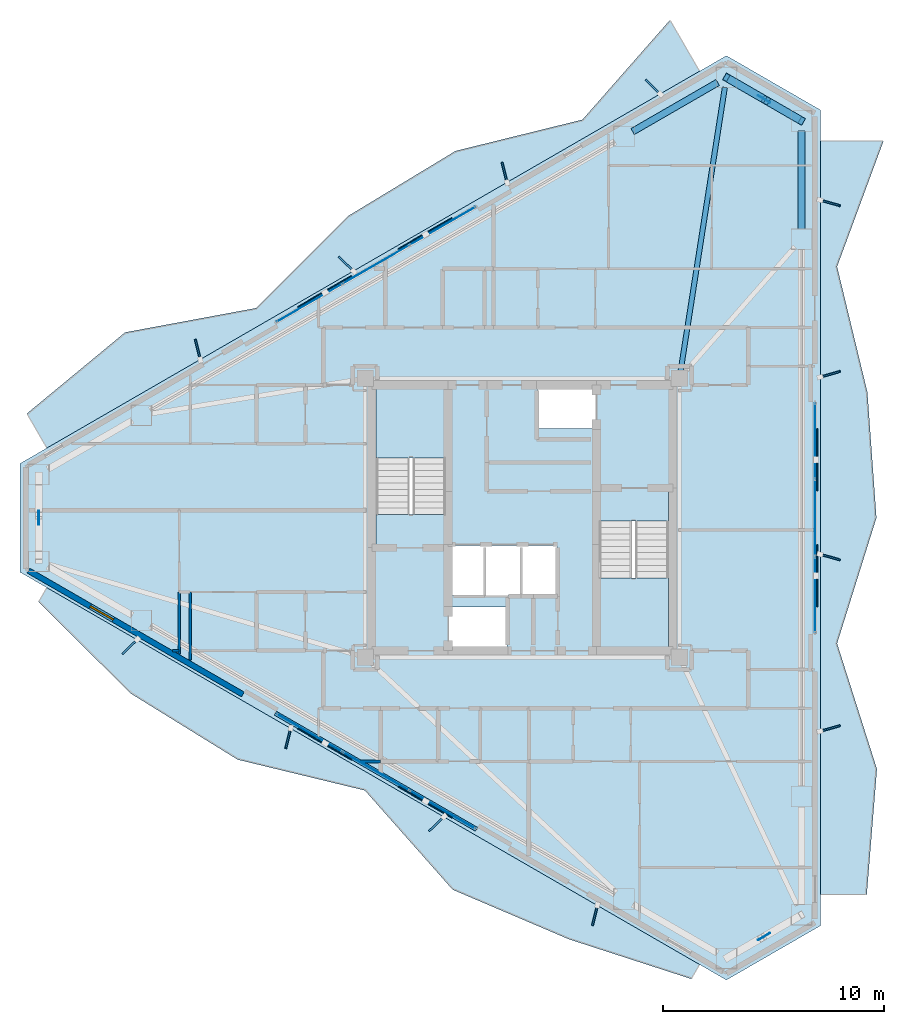
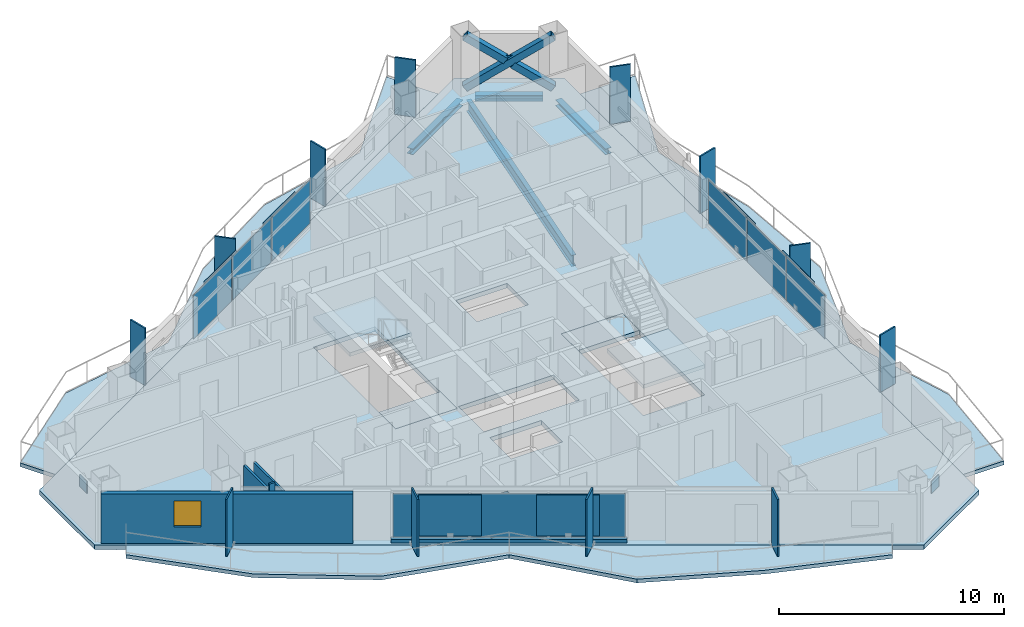
# One storey, part 11 of 19: 30 plates, 8 slabs, 6 walls, 4 beams, 3 members, 1 window, 1 opening, 5 elements without a shape of their own.
"""IFC4 building model written with IfcOpenShell, lengths in metres."""

from ifc_helpers import new_model, si_unit, direction, frame, frame_2d, origin, origin_2d, place, context, subcontext, project, spatial, polyline, rectangle, hollow_rectangle, i_section, outline, extrude, material, layer, layer_set, material_profile, profile_set, type_object, element, fill, aggregate, save


model = new_model("IFC4")

# Units and contexts
model_context = context("Model", 3, precision=1e-05, world=origin(), true_north=direction((0.0, 1.0)))
body_context = subcontext(model_context, "Body", "Model", "MODEL_VIEW")
ifc_project = project(units=[si_unit("LENGTHUNIT", "METRE"), si_unit("AREAUNIT", "SQUARE_METRE"), si_unit("VOLUMEUNIT", "CUBIC_METRE"), si_unit("PLANEANGLEUNIT", "RADIAN"), si_unit("MASSUNIT", "GRAM", prefix="KILO")], contexts=[model_context])

# Site, building, storey
site_placement = place(None, origin())
site = spatial("IfcSite", under=ifc_project, at=site_placement, CompositionType="ELEMENT")
building_placement = place(site_placement, origin())
building = spatial("IfcBuilding", under=site, at=building_placement, Name="Mersakhor Tower and Convention Hall", CompositionType="ELEMENT")
storey_placement = place(building_placement, frame((0.0, 0.0, 144.300048828125)))
storey = spatial("IfcBuildingStorey", under=building, at=storey_placement, Name="L40", CompositionType="ELEMENT", Elevation=144.300048828125)

# Beams
ifc_material_1 = material(Name="Steel S355", Category="steel")
ifc_material_profile_1 = material_profile(ifc_material_1, i_section(OverallWidth=0.22900390625, OverallDepth=0.6123046875, WebThickness=0.011962890625, FlangeThickness=0.01953125, at=origin_2d()), Name="UB 610x229x125")
ifc_profile_set_1 = profile_set([ifc_material_profile_1], Name="Steel S355")
beam_type_1 = type_object("IfcBeamType", Name="BM-PR-610", PredefinedType="BEAM", material=ifc_profile_set_1)
beam_1_placement = place(storey_placement, frame((36.15478515625, 33.40087890625, -0.546142578125), z_axis=(0.154111159783, 0.988053515975, 0.0), x_axis=(-0.988053515975, 0.154111159783, 0.0)))
element("IfcBeam", 1, at=beam_1_placement, inside=storey, type_object=beam_type_1, Name="L40 Primary Floor Girder FG-2", PredefinedType="BEAM", context=body_context, shape_type="SweptSolid", body=[
    extrude(i_section(OverallWidth=0.22900390625, OverallDepth=0.6123046875, WebThickness=0.011962890625, FlangeThickness=0.01953125, at=origin_2d()), origin(), (0.0, 0.0, 1.0), 12.94921875),
])
ifc_material_2 = material(Name="Steel S355", Category="steel")
ifc_material_profile_2 = material_profile(ifc_material_2, i_section(OverallWidth=0.30908203125, OverallDepth=0.320556640625, WebThickness=0.013916015625, FlangeThickness=0.021728515625, at=origin_2d()), Name="UC 305x305x137")
ifc_profile_set_2 = profile_set([ifc_material_profile_2], Name="Steel S355")
beam_type_2 = type_object("IfcBeamType", Name="BM-SPD-UC305", PredefinedType="SPANDREL", material=ifc_profile_set_2)
beam_2_placement = place(storey_placement, frame((33.986572265625, 44.200439453125, -0.400146484375), z_axis=(0.866038875684, 0.49997666526, 0.0), x_axis=(-0.49997666526, 0.866038875684, 0.0)))
element("IfcBeam", 2, at=beam_2_placement, inside=storey, type_object=beam_type_2, Name="L40 Perimeter Spandrel Beam SPB-03", PredefinedType="SPANDREL", context=body_context, shape_type="SweptSolid", body=[
    extrude(i_section(OverallWidth=0.30908203125, OverallDepth=0.320556640625, WebThickness=0.013916015625, FlangeThickness=0.021728515625, at=origin_2d()), origin(), (0.0, 0.0, 1.0), 4.433837890625),
])
beam_3_placement = place(storey_placement, frame((38.614501953125, 46.417236328125, -0.400146484375), z_axis=(0.86604667077, -0.499963162692, 0.0), x_axis=(0.499963162692, 0.86604667077, 0.0)))
element("IfcBeam", 3, at=beam_3_placement, inside=storey, type_object=beam_type_2, Name="L40 Perimeter Spandrel Beam SPB-04", PredefinedType="SPANDREL", context=body_context, shape_type="SweptSolid", body=[
    extrude(i_section(OverallWidth=0.30908203125, OverallDepth=0.320556640625, WebThickness=0.013916015625, FlangeThickness=0.021728515625, at=origin_2d()), origin(), (0.0, 0.0, 1.0), 3.014404296875),
])
beam_4_placement = place(storey_placement, frame((41.619140625, 44.2275390625, -0.400146484375), z_axis=(0.0, -1.0, 0.0), x_axis=(1.0, 0.0, 0.0)))
element("IfcBeam", 4, at=beam_4_placement, inside=storey, type_object=beam_type_2, Name="L40 Perimeter Spandrel Beam SPB-05", PredefinedType="SPANDREL", context=body_context, shape_type="SweptSolid", body=[
    extrude(i_section(OverallWidth=0.30908203125, OverallDepth=0.320556640625, WebThickness=0.013916015625, FlangeThickness=0.021728515625, at=origin_2d()), origin(), (0.0, 0.0, 1.0), 4.433837890625),
])

# Members
ifc_material_3 = material(Name="Steel S460", Category="steel")
ifc_material_profile_3 = material_profile(ifc_material_3, hollow_rectangle(XDim=0.35009765625, YDim=0.35009765625, WallThickness=0.02001953125, at=origin_2d()), Name="SHS 350x350x20")
ifc_profile_set_3 = profile_set([ifc_material_profile_3], Name="Steel S460")
member_type = type_object("IfcMemberType", Name="MB-BRC-SHS350", PredefinedType="BRACE", material=ifc_profile_set_3)
member_placement = place(storey_placement, frame((38.220458984375, 46.644775390625, 0.14990234375), z_axis=(0.70838533923, -0.408971551713, 0.575267312693), x_axis=(0.499986324622, 0.866033299124, 0.0)))
element("IfcMember", 5, at=member_placement, inside=storey, type_object=member_type, Name="L40 Chamfer Braced Frame Diagonal CB-1A", PredefinedType="BRACE", context=body_context, shape_type="SweptSolid", body=[
    extrude(hollow_rectangle(XDim=0.35009765625, YDim=0.35009765625, WallThickness=0.02001953125, at=origin_2d()), origin(), (0.0, 0.0, 1.0), 4.7978515625),
])
for number, where, z_axis, x_axis, name in (
    (6, (41.619140625, 44.6826171875, 0.14990234375), (-0.708364021879, 0.408986667212, 0.575282816143), (-0.500011469263, -0.866018781901, 0.0), "L40 Chamfer Braced Frame Diagonal CB-1B Lower Half"),
    (7, (39.782470703125, 45.742919921875, 1.6416015625), (-0.708409139881, 0.409012716899, 0.575208734242), (-0.500011469263, -0.866018781901, 0.0), "L40 Chamfer Braced Frame Diagonal CB-1B Upper Half"),
):
    element("IfcMember", number, at=place(storey_placement, frame(where, z_axis=z_axis, x_axis=x_axis)), inside=storey, type_object=member_type, Name=name, PredefinedType="BRACE", context=body_context, shape_type="SweptSolid", body=[
        extrude(hollow_rectangle(XDim=0.35009765625, YDim=0.35009765625, WallThickness=0.02001953125, at=origin_2d()), origin(), (0.0, 0.0, 1.0), 2.205078125),
    ])

# Curtain wall, plates
ifc_material_4 = material(Name="Dark solar low-E aluminium curtain wall", Category="aluminium")
ifc_layer_1 = layer(ifc_material_4, 0.169921875)
ifc_layer_set_1 = layer_set([ifc_layer_1], Name="Dark solar low-E aluminium curtain wall")
curtain_wall_type = type_object("IfcCurtainWallType", Name="CW-SYS-02", PredefinedType="USERDEFINED", material=ifc_layer_set_1)
curtain_wall_1_placement = place(storey_placement, origin())
curtain_wall_1 = element("IfcCurtainWall", 8, at=curtain_wall_1_placement, inside=storey, type_object=curtain_wall_type, Name="L40 Dark-Glass Curtain Wall F1-B2", ObjectType="CURTAIN WALL", PredefinedType="USERDEFINED")
ifc_material_5 = material(Name="Dark solar double glazing", Category="glass")
ifc_layer_2 = layer(ifc_material_5, 0.028076171875)
ifc_layer_set_2 = layer_set([ifc_layer_2], Name="Dark solar double glazing")
plate_type_1 = type_object("IfcPlateType", Name="CWP-GLZ-28", PredefinedType="CURTAIN_PANEL", material=ifc_layer_set_2)
plate_1_placement = place(storey_placement, frame((19.379638671875, 36.4599609375, 0.259765625), z_axis=(0.0, 0.0, 1.0), x_axis=(0.866030906807, 0.499990468363, 0.0)))
plate_1 = element("IfcPlate", 9, at=plate_1_placement, type_object=plate_type_1, Name="CW-02 panel 1.1", PredefinedType="CURTAIN_PANEL", context=body_context, shape_type="SweptSolid", body=[
    extrude(rectangle(XDim=3.3828125, YDim=0.028076171875, at=origin_2d()), origin(), (0.0, 0.0, 1.0), 2.360107421875),
])
plate_2_placement = place(storey_placement, frame((22.390380859375, 38.1982421875, 0.259765625), z_axis=(0.0, 0.0, 1.0), x_axis=(0.866030906807, 0.499990468363, 0.0)))
plate_2 = element("IfcPlate", 10, at=plate_2_placement, type_object=plate_type_1, Name="CW-02 panel 2.1", PredefinedType="CURTAIN_PANEL", context=body_context, shape_type="SweptSolid", body=[
    extrude(rectangle(XDim=3.42041015625, YDim=0.028076171875, at=origin_2d()), origin(), (0.0, 0.0, 1.0), 2.360107421875),
])
plate_3_placement = place(storey_placement, frame((25.401123046875, 39.9365234375, 0.259765625), z_axis=(0.0, 0.0, 1.0), x_axis=(0.866030906807, 0.499990468363, 0.0)))
plate_3 = element("IfcPlate", 11, at=plate_3_placement, type_object=plate_type_1, Name="CW-02 panel 3.1", PredefinedType="CURTAIN_PANEL", context=body_context, shape_type="SweptSolid", body=[
    extrude(rectangle(XDim=3.3828125, YDim=0.028076171875, at=origin_2d()), origin(), (0.0, 0.0, 1.0), 2.360107421875),
])
aggregate(curtain_wall_1, [plate_1, plate_2, plate_3])

curtain_wall_2_placement = place(storey_placement, origin())
curtain_wall_2 = element("IfcCurtainWall", 12, at=curtain_wall_2_placement, inside=storey, type_object=curtain_wall_type, Name="L40 Dark-Glass Curtain Wall F2-B2", ObjectType="CURTAIN WALL", PredefinedType="USERDEFINED")
plate_4_placement = place(storey_placement, frame((42.21923828125, 30.2265625, 0.259765625), z_axis=(0.0, 0.0, 1.0), x_axis=(0.0, -1.0, 0.0)))
plate_4 = element("IfcPlate", 13, at=plate_4_placement, type_object=plate_type_1, Name="CW-02 panel 1.1", PredefinedType="CURTAIN_PANEL", context=body_context, shape_type="SweptSolid", body=[
    extrude(rectangle(XDim=3.3828125, YDim=0.028076171875, at=origin_2d()), origin(), (0.0, 0.0, 1.0), 2.360107421875),
])
plate_5_placement = place(storey_placement, frame((42.21923828125, 26.75, 0.259765625), z_axis=(0.0, 0.0, 1.0), x_axis=(0.0, -1.0, 0.0)))
plate_5 = element("IfcPlate", 14, at=plate_5_placement, type_object=plate_type_1, Name="CW-02 panel 2.1", PredefinedType="CURTAIN_PANEL", context=body_context, shape_type="SweptSolid", body=[
    extrude(rectangle(XDim=3.42041015625, YDim=0.028076171875, at=origin_2d()), origin(), (0.0, 0.0, 1.0), 2.360107421875),
])
plate_6_placement = place(storey_placement, frame((42.21923828125, 23.2734375, 0.259765625), z_axis=(0.0, 0.0, 1.0), x_axis=(0.0, -1.0, 0.0)))
plate_6 = element("IfcPlate", 15, at=plate_6_placement, type_object=plate_type_1, Name="CW-02 panel 3.1", PredefinedType="CURTAIN_PANEL", context=body_context, shape_type="SweptSolid", body=[
    extrude(rectangle(XDim=3.3828125, YDim=0.028076171875, at=origin_2d()), origin(), (0.0, 0.0, 1.0), 2.360107421875),
])
aggregate(curtain_wall_2, [plate_4, plate_5, plate_6])

curtain_wall_3_placement = place(storey_placement, origin())
curtain_wall_3 = element("IfcCurtainWall", 16, at=curtain_wall_3_placement, inside=storey, type_object=curtain_wall_type, Name="L40 Dark-Glass Curtain Wall F3-B2", ObjectType="CURTAIN WALL", PredefinedType="USERDEFINED")
plate_7_placement = place(storey_placement, frame((25.401123046875, 13.5634765625, 0.259765625), z_axis=(0.0, 0.0, 1.0), x_axis=(-0.866030906807, 0.499990468363, 0.0)))
plate_7 = element("IfcPlate", 17, at=plate_7_placement, type_object=plate_type_1, Name="CW-02 panel 1.1", PredefinedType="CURTAIN_PANEL", context=body_context, shape_type="SweptSolid", body=[
    extrude(rectangle(XDim=3.3828125, YDim=0.028076171875, at=origin_2d()), origin(), (0.0, 0.0, 1.0), 2.360107421875),
])
plate_8_placement = place(storey_placement, frame((22.390380859375, 15.3017578125, 0.259765625), z_axis=(0.0, 0.0, 1.0), x_axis=(-0.866030906807, 0.499990468363, 0.0)))
plate_8 = element("IfcPlate", 18, at=plate_8_placement, type_object=plate_type_1, Name="CW-02 panel 2.1", PredefinedType="CURTAIN_PANEL", context=body_context, shape_type="SweptSolid", body=[
    extrude(rectangle(XDim=3.42041015625, YDim=0.028076171875, at=origin_2d()), origin(), (0.0, 0.0, 1.0), 2.360107421875),
])
plate_9_placement = place(storey_placement, frame((19.379638671875, 17.0400390625, 0.259765625), z_axis=(0.0, 0.0, 1.0), x_axis=(-0.866030906807, 0.499990468363, 0.0)))
plate_9 = element("IfcPlate", 19, at=plate_9_placement, type_object=plate_type_1, Name="CW-02 panel 3.1", PredefinedType="CURTAIN_PANEL", context=body_context, shape_type="SweptSolid", body=[
    extrude(rectangle(XDim=3.3828125, YDim=0.028076171875, at=origin_2d()), origin(), (0.0, 0.0, 1.0), 2.360107421875),
])
aggregate(curtain_wall_3, [plate_7, plate_8, plate_9])

# Plates
ifc_material_6 = material(Name="Ceramic-clad aluminium Zone 3 ochre-bronze", Category="aluminium")
ifc_material_7 = material(Name="Ceramic-clad aluminium Zone 1 cobalt-slate", Category="masonry")
ifc_layer_3 = layer(ifc_material_7, 0.080078125)
ifc_layer_set_3 = layer_set([ifc_layer_3], Name="Ceramic-clad aluminium Zone 1 cobalt-slate")
plate_type_2 = type_object("IfcPlateType", Name="PL-FIN-80", PredefinedType="USERDEFINED", material=ifc_layer_set_3)
for number, where, z_axis, x_axis, name in (
    (20, (14.345947265625, 34.3466796875, 0.0), (0.0, 0.0, 1.0), (-0.2419218956, 0.970295726276, 0.0), "L40 Zone 3 Coloured Brise-Soleil Fin F1-1"),
    (21, (21.047607421875, 38.215576171875, 0.0), (0.0, 0.0, 1.0), (-0.719339800339, 0.694658370459, 0.0), "L40 Zone 3 Coloured Brise-Soleil Fin F1-2"),
    (22, (28.202392578125, 42.346435546875, 0.0), (0.0, 0.0, 1.0), (-0.2419218956, 0.970295726276, 0.0), "L40 Zone 3 Coloured Brise-Soleil Fin F1-3"),
    (23, (34.90380859375, 46.215576171875, 0.0), (0.0, 0.0, 1.0), (-0.719339800339, 0.694658370459, 0.0), "L40 Zone 3 Coloured Brise-Soleil Fin F1-4"),
    (24, (42.90576171875, 40.9755859375, 0.0), (0.0, 0.0, 1.0), (0.961261695938, -0.275637355817, 0.0), "L40 Zone 3 Coloured Brise-Soleil Fin F2-1"),
    (25, (42.90576171875, 33.237548828125, 0.0), (0.0, 0.0, 1.0), (0.961261695938, 0.275637355817, 0.0), "L40 Zone 3 Coloured Brise-Soleil Fin F2-2"),
    (26, (42.90576171875, 24.9755859375, 0.0), (0.0, 0.0, 1.0), (0.961261695938, -0.275637355817, 0.0), "L40 Zone 3 Coloured Brise-Soleil Fin F2-3"),
    (27, (42.90576171875, 17.237548828125, 0.0), (0.0, 0.0, 1.0), (0.961261695938, 0.275637355817, 0.0), "L40 Zone 3 Coloured Brise-Soleil Fin F2-4"),
    (28, (32.2841796875, 8.796875, 0.0), (0.0, 0.0, 1.0), (-0.2419218956, -0.970295726276, 0.0), "L40 Zone 3 Coloured Brise-Soleil Fin F3-1"),
    (29, (25.12939453125, 12.927734375, 0.0), (0.0, 0.0, 1.0), (-0.719339800339, -0.694658370459, 0.0), "L40 Zone 3 Coloured Brise-Soleil Fin F3-2"),
    (30, (18.427978515625, 16.796875, 0.0), (0.0, 0.0, 1.0), (-0.2419218956, -0.970295726276, 0.0), "L40 Zone 3 Coloured Brise-Soleil Fin F3-3"),
    (31, (11.27294921875, 20.927734375, 0.0), (0.0, 0.0, 1.0), (-0.719339800339, -0.694658370459, 0.0), "L40 Zone 3 Coloured Brise-Soleil Fin F3-4"),
):
    element("IfcPlate", number, at=place(storey_placement, frame(where, z_axis=z_axis, x_axis=x_axis)), inside=storey, type_object=plate_type_2, material=ifc_material_6, Name=name, ObjectType="FIN", PredefinedType="USERDEFINED", context=body_context, shape_type="SweptSolid", body=[
        extrude(rectangle(XDim=0.949951171875, YDim=0.080078125, at=origin_2d()), origin(), (0.0, 0.0, 1.0), 3.10009765625),
    ])
ifc_material_8 = material(Name="Steel S460", Category="steel")
ifc_layer_4 = layer(ifc_material_8, 0.0400390625)
ifc_layer_set_4 = layer_set([ifc_layer_4], Name="Steel S460")
plate_type_3 = type_object("IfcPlateType", Name="PL-GUSSET-40", PredefinedType="SHEET", material=ifc_layer_set_4)
for number, where, z_axis, x_axis, name in (
    (32, (39.919921875, 45.663818359375, 1.2099609375), (0.0, 0.0, 1.0), (-0.866025403784, 0.5, 0.0), "L40 X-Brace Crossing Gusset Node Plate"),
    (33, (39.919921875, 7.836181640625, 1.2099609375), (0.0, 0.0, 1.0), (0.866025403784, 0.5, 0.0), "L40 X-Brace Crossing Gusset Node Plate"),
    (34, (7.160400390625, 26.75, 1.2099609375), (0.0, 0.0, 1.0), (0.0, -1.0, 0.0), "L40 X-Brace Crossing Gusset Node Plate"),
):
    element("IfcPlate", number, at=place(storey_placement, frame(where, z_axis=z_axis, x_axis=x_axis)), inside=storey, type_object=plate_type_3, Name=name, PredefinedType="SHEET", context=body_context, shape_type="SweptSolid", body=[
        extrude(rectangle(XDim=0.639892578125, YDim=0.0400390625, at=origin_2d()), origin(), (0.0, 0.0, 1.0), 0.639892578125),
    ])
ifc_material_9 = material(Name="Perforated ceramic cobogo solar screen", Category="aluminium")
ifc_layer_5 = layer(ifc_material_9, 0.048095703125)
ifc_layer_set_5 = layer_set([ifc_layer_5], Name="Perforated ceramic cobogo solar screen")
plate_type_4 = type_object("IfcPlateType", Name="PL-SCR-48", PredefinedType="USERDEFINED", material=ifc_layer_set_5)
for number, where, z_axis, x_axis, name in (
    (35, (20.072998046875, 36.96875, 0.39990234375), (0.0, 0.0, 1.0), (0.866025403784, 0.5, 0.0), "L40 Perforated Ceramic Solar Screen F1-1"),
    (36, (24.61376953125, 39.59033203125, 0.39990234375), (0.0, 0.0, 1.0), (0.866025403784, 0.5, 0.0), "L40 Perforated Ceramic Solar Screen F1-2"),
    (37, (42.313232421875, 29.37158203125, 0.39990234375), (0.0, 0.0, 1.0), (0.0, -1.0, 0.0), "L40 Perforated Ceramic Solar Screen F2-1"),
    (38, (42.313232421875, 24.12841796875, 0.39990234375), (0.0, 0.0, 1.0), (0.0, -1.0, 0.0), "L40 Perforated Ceramic Solar Screen F2-2"),
    (39, (24.61376953125, 13.90966796875, 0.39990234375), (0.0, 0.0, 1.0), (-0.866025403784, 0.5, 0.0), "L40 Perforated Ceramic Solar Screen F3-1"),
    (40, (20.072998046875, 16.53125, 0.39990234375), (0.0, 0.0, 1.0), (-0.866025403784, 0.5, 0.0), "L40 Perforated Ceramic Solar Screen F3-2"),
):
    element("IfcPlate", number, at=place(storey_placement, frame(where, z_axis=z_axis, x_axis=x_axis)), inside=storey, type_object=plate_type_4, Name=name, ObjectType="SCREEN", PredefinedType="USERDEFINED", context=body_context, shape_type="SweptSolid", body=[
        extrude(rectangle(XDim=2.800048828125, YDim=0.048095703125, at=origin_2d()), origin(), (0.0, 0.0, 1.0), 2.22998046875),
    ])

# Slabs
ifc_material_10 = material(Name="Concrete C45/55", Category="concrete")
ifc_layer_6 = layer(ifc_material_10, 0.199951171875)
ifc_layer_set_6 = layer_set([ifc_layer_6], Name="Concrete C45/55")
slab_type_1 = type_object("IfcSlabType", Name="SL-BAL-200", PredefinedType="FLOOR", material=ifc_layer_set_6)
slab_1_placement = place(storey_placement, frame((0.0, 0.0, -0.199951171875)))
element("IfcSlab", 41, at=slab_1_placement, inside=storey, type_object=slab_type_1, Name="L40 Sinusoidal Balcony Slab Face 1", PredefinedType="FLOOR", context=body_context, shape_type="SweptSolid", body=[
    extrude(outline(polyline([(7.522705078125, 29.903076171875), (37.008056640625, 46.92626953125), (35.672607421875, 49.239501953125), (31.71875, 44.738525390625), (25.983642578125, 43.323486328125), (21.12890625, 40.38330078125), (16.976318359375, 36.22705078125), (11.05810546875, 35.12841796875), (6.622802734375, 31.4619140625), (7.522705078125, 29.903076171875)])), origin(), (0.0, 0.0, 1.0), 0.199951171875),
])
slab_2_placement = place(storey_placement, frame((0.0, 0.0, -0.199951171875)))
element("IfcSlab", 42, at=slab_2_placement, inside=storey, type_object=slab_type_1, Name="L40 Sinusoidal Balcony Slab Face 2", PredefinedType="FLOOR", context=body_context, shape_type="SweptSolid", body=[
    extrude(outline(polyline([(42.46923828125, 43.773193359375), (42.46923828125, 9.726806640625), (44.560791015625, 9.726806640625), (45.0205078125, 15.401123046875), (43.21923828125, 21.07568359375), (44.9970703125, 26.75), (44.589599609375, 32.42431640625), (43.21923828125, 38.098876953125), (45.317138671875, 43.773193359375), (42.46923828125, 43.773193359375)])), origin(), (0.0, 0.0, 1.0), 0.199951171875),
])
slab_3_placement = place(storey_placement, frame((0.0, 0.0, -0.199951171875)))
element("IfcSlab", 43, at=slab_3_placement, inside=storey, type_object=slab_type_1, Name="L40 Sinusoidal Balcony Slab Face 3", PredefinedType="FLOOR", context=body_context, shape_type="SweptSolid", body=[
    extrude(outline(polyline([(37.008056640625, 6.57373046875), (7.522705078125, 23.596923828125), (7.147705078125, 22.947509765625), (11.31396484375, 18.814697265625), (16.142333984375, 15.82861328125), (21.890380859375, 14.435791015625), (25.8544921875, 9.952880859375), (31.113037109375, 7.712158203125), (36.632080078125, 5.92236328125), (37.008056640625, 6.57373046875)])), origin(), (0.0, 0.0, 1.0), 0.199951171875),
])
ifc_material_11 = material(Name="Concrete C40/50", Category="concrete")
ifc_layer_7 = layer(ifc_material_11, 0.239990234375)
ifc_layer_set_7 = layer_set([ifc_layer_7], Name="Concrete C40/50")
slab_type_2 = type_object("IfcSlabType", Name="SL-FLR-240", PredefinedType="FLOOR", material=ifc_layer_set_7)
slab_4_placement = place(storey_placement, frame((0.0, 0.0, -0.239990234375)))
element("IfcSlab", 44, at=slab_4_placement, inside=storey, type_object=slab_type_2, Name="L40 ST-1 Structural Stair Floor Landing", PredefinedType="LANDING", context=body_context, shape_type="SweptSolid", body=[
    extrude(outline(polyline([(25.550048828125, 25.39990234375), (25.550048828125, 26.89990234375), (22.39990234375, 26.89990234375), (22.39990234375, 25.39990234375), (25.550048828125, 25.39990234375)])), origin(), (0.0, 0.0, 1.0), 0.239990234375),
])
slab_5_placement = place(storey_placement, frame((0.0, 0.0, -0.239990234375)))
element("IfcSlab", 45, at=slab_5_placement, inside=storey, type_object=slab_type_2, Name="L40 ST-2 Structural Stair Floor Landing", PredefinedType="LANDING", context=body_context, shape_type="SweptSolid", body=[
    extrude(outline(polyline([(32.449951171875, 28.10009765625), (32.449951171875, 26.60009765625), (35.60009765625, 26.60009765625), (35.60009765625, 28.10009765625), (32.449951171875, 28.10009765625)])), origin(), (0.0, 0.0, 1.0), 0.239990234375),
])
slab_6_placement = place(storey_placement, frame((0.0, 0.0, -0.239990234375)))
element("IfcSlab", 46, at=slab_6_placement, inside=storey, type_object=slab_type_2, Name="Tower L40 Structural Floor Slab", PredefinedType="FLOOR", context=body_context, shape_type="SweptSolid", body=[
    extrude(outline(polyline([(6.310302734375, 29.202880859375), (38.220458984375, 47.626220703125), (42.46923828125, 45.17333984375), (42.46923828125, 8.32666015625), (38.220458984375, 5.873779296875), (6.310302734375, 24.297119140625), (6.310302734375, 29.202880859375)]), holes=[polyline([(25.550048828125, 25.39990234375), (25.550048828125, 32.699951171875), (22.39990234375, 32.699951171875), (22.39990234375, 25.39990234375), (25.550048828125, 25.39990234375)]), polyline([(32.449951171875, 28.10009765625), (32.449951171875, 20.800048828125), (35.60009765625, 20.800048828125), (35.60009765625, 28.10009765625), (32.449951171875, 28.10009765625)]), polyline([(25.679931640625, 20.820068359375), (25.679931640625, 22.719970703125), (28.320068359375, 22.719970703125), (28.320068359375, 20.820068359375), (25.679931640625, 20.820068359375)]), polyline([(29.679931640625, 30.780029296875), (29.679931640625, 32.679931640625), (32.320068359375, 32.679931640625), (32.320068359375, 30.780029296875), (29.679931640625, 30.780029296875)]), polyline([(25.679931640625, 23.25), (25.679931640625, 25.5), (30.570068359375, 25.5), (30.570068359375, 23.25), (25.679931640625, 23.25)])]), origin(), (0.0, 0.0, 1.0), 0.239990234375),
])

# Stair, slab
ifc_material_12 = material(Name="Concrete C45/55", Category="concrete")
stair_type = type_object("IfcStairType", Name="ST-TWR-20R", PredefinedType="HALF_TURN_STAIR", material=ifc_material_12)
stair_1_placement = place(storey_placement, origin())
stair_1 = element("IfcStair", 47, at=stair_1_placement, inside=storey, type_object=stair_type, Name="L40 Tower Protected Exit Stair ST-1", PredefinedType="HALF_TURN_STAIR")
ifc_material_13 = material(Name="Concrete C45/55", Category="concrete")
ifc_layer_8 = layer(ifc_material_13, 0.199951171875)
ifc_layer_set_8 = layer_set([ifc_layer_8], Name="Concrete C45/55")
slab_type_3 = type_object("IfcSlabType", Name="SL-LAND-200", PredefinedType="LANDING", material=ifc_layer_set_8)
slab_7_placement = place(storey_placement, frame((0.0, 0.0, 1.449951171875)))
slab_7 = element("IfcSlab", 48, at=slab_7_placement, type_object=slab_type_3, Name="ST-1 landing 1", PredefinedType="LANDING", context=body_context, shape_type="SweptSolid", body=[
    extrude(outline(polyline([(25.550048828125, 29.465087890625), (25.550048828125, 32.699951171875), (22.39990234375, 32.699951171875), (22.39990234375, 29.465087890625), (25.550048828125, 29.465087890625)])), origin(), (0.0, 0.0, 1.0), 0.199951171875),
])
aggregate(stair_1, [slab_7])

stair_2_placement = place(storey_placement, origin())
stair_2 = element("IfcStair", 49, at=stair_2_placement, inside=storey, type_object=stair_type, Name="L40 Tower Protected Exit Stair ST-2", PredefinedType="HALF_TURN_STAIR")
slab_8_placement = place(storey_placement, frame((0.0, 0.0, 1.449951171875)))
slab_8 = element("IfcSlab", 50, at=slab_8_placement, type_object=slab_type_3, Name="ST-2 landing 1", PredefinedType="LANDING", context=body_context, shape_type="SweptSolid", body=[
    extrude(outline(polyline([(32.449951171875, 24.034912109375), (32.449951171875, 20.800048828125), (35.60009765625, 20.800048828125), (35.60009765625, 24.034912109375), (32.449951171875, 24.034912109375)])), origin(), (0.0, 0.0, 1.0), 0.199951171875),
])
aggregate(stair_2, [slab_8])

# Wall, opening, window
ifc_material_14 = material(Name="Precast concrete C40/50", Category="concrete")
ifc_layer_9 = layer(ifc_material_14, 0.25)
ifc_layer_set_9 = layer_set([ifc_layer_9], Name="Precast concrete C40/50")
wall_type_1 = type_object("IfcWallType", Name="WL-EXT-250", PredefinedType="SOLIDWALL", material=ifc_layer_set_9)
wall_1_placement = place(storey_placement, frame((16.377685546875, 18.773193359375, 0.0), z_axis=(0.0, 0.0, 1.0), x_axis=(-0.866027848477, 0.499995765644, 0.0)))
wall_1 = element("IfcWall", 51, at=wall_1_placement, inside=storey, type_object=wall_type_1, Name="L40 Exterior Facade Wall F3-B3", PredefinedType="SOLIDWALL", context=body_context, shape_type="SweptSolid", body=[
    extrude(rectangle(XDim=11.18603515625, YDim=0.25, at=frame_2d((5.593017578125, 0.0))), origin(), (0.0, 0.0, 1.0), 2.679931640625),
])
opening_placement = place(wall_1_placement, frame((6.757080078125, 0.0, 0.89990234375)))
opening = element("IfcOpeningElement", 52, at=opening_placement, cuts=wall_1, Name="Opening W-01", PredefinedType="OPENING", context=body_context, shape_type="SweptSolid", body=[
    extrude(rectangle(XDim=1.199951171875, YDim=1.39990234375, at=frame_2d((0.60009765625, 0.699951171875))), frame((0.0, 0.135009765625, 0.0), z_axis=(0.0, -1.0, 0.0), x_axis=(1.0, 0.0, 0.0)), (0.0, 0.0, 1.0), 0.27001953125),
])
ifc_material_15 = material(Name="Dark solar low-E glazed aluminium window", Category="aluminium")
window_type = type_object("IfcWindowType", Name="WN-RES-120x150", PartitioningType="SINGLE_PANEL", PredefinedType="WINDOW", material=ifc_material_15)
window_placement = place(opening_placement, origin())
window = element("IfcWindow", 53, at=window_placement, inside=storey, type_object=window_type, Name="L40 Bedroom Facade Window F3-B3-1", OverallHeight=1.39990234375, OverallWidth=1.199951171875, PartitioningType="SINGLE_PANEL", PredefinedType="WINDOW", context=body_context, shape_type="SweptSolid", body=[
    extrude(rectangle(XDim=1.199951171875, YDim=1.39990234375, at=frame_2d((0.60009765625, 0.699951171875))), frame((0.0, 0.030029296875, 0.0), z_axis=(0.0, -1.0, 0.0), x_axis=(1.0, 0.0, 0.0)), (0.0, 0.0, 1.0), 0.06005859375),
])
fill(opening, window)

# Walls
ifc_material_16 = material(Name="Precast concrete C40/50", Category="concrete")
ifc_layer_10 = layer(ifc_material_16, 0.199951171875)
ifc_layer_set_10 = layer_set([ifc_layer_10], Name="Precast concrete C40/50")
wall_type_2 = type_object("IfcWallType", Name="WL-PAR-200", PredefinedType="PARAPET", material=ifc_layer_set_10)
wall_2_placement = place(storey_placement, frame((26.930908203125, 12.680419921875, 0.0), z_axis=(0.0, 0.0, 1.0), x_axis=(-0.866026619769, 0.499997893847, 0.0)))
element("IfcWall", 54, at=wall_2_placement, inside=storey, type_object=wall_type_2, Name="L40 Curtain Wall Upstand Sill F3-B2", PredefinedType="PARAPET", context=body_context, shape_type="SweptSolid", body=[
    extrude(rectangle(XDim=10.48583984375, YDim=0.199951171875, at=frame_2d((5.242919921875, 0.0))), origin(), (0.0, 0.0, 1.0), 0.199951171875),
])
ifc_material_17 = material(Name="Lightweight gypsum partition", Category="other")
ifc_layer_11 = layer(ifc_material_17, 0.10009765625)
ifc_layer_set_11 = layer_set([ifc_layer_11], Name="Lightweight gypsum partition")
wall_type_3 = type_object("IfcWallType", Name="WL-PRT-100", PredefinedType="PARTITIONING", material=ifc_layer_set_11)
wall_3_placement = place(storey_placement, frame((14.0, 20.318115234375, 0.0), z_axis=(0.0, 0.0, 1.0), x_axis=(0.0, 1.0, 0.0)))
element("IfcWall", 55, at=wall_3_placement, inside=storey, type_object=wall_type_3, Name="L40 Interior Partition Wall P-096", PredefinedType="PARTITIONING", context=body_context, shape_type="SweptSolid", body=[
    extrude(rectangle(XDim=3.081787109375, YDim=0.10009765625, at=frame_2d((1.541015625, 0.0))), origin(), (0.0, 0.0, 1.0), 2.364990234375),
])
wall_4_placement = place(storey_placement, frame((13.5, 20.75, 0.0), z_axis=(0.0, 0.0, 1.0), x_axis=(-1.0, 0.0, 0.0)))
element("IfcWall", 56, at=wall_4_placement, inside=storey, type_object=wall_type_3, Name="L40 Interior Partition Wall P-138", PredefinedType="PARTITIONING", context=body_context, shape_type="SweptSolid", body=[
    extrude(rectangle(XDim=0.293212890625, YDim=0.10009765625, at=frame_2d((0.146484375, 0.0))), origin(), (0.0, 0.0, 1.0), 3.06005859375),
])
ifc_material_18 = material(Name="Gypsum board acoustic partition", Category="other")
ifc_layer_12 = layer(ifc_material_18, 0.125)
ifc_layer_set_12 = layer_set([ifc_layer_12], Name="Gypsum board acoustic partition")
wall_type_4 = type_object("IfcWallType", Name="WL-PRT-125", PredefinedType="PARTITIONING", material=ifc_layer_set_12)
wall_5_placement = place(storey_placement, frame((22.60009765625, 15.75, 0.0), z_axis=(0.0, 0.0, 1.0), x_axis=(-1.0, 0.0, 0.0)))
element("IfcWall", 57, at=wall_5_placement, inside=storey, type_object=wall_type_4, Name="L40 Interior Partition Wall P-123", PredefinedType="PARTITIONING", context=body_context, shape_type="SweptSolid", body=[
    extrude(rectangle(XDim=0.916748046875, YDim=0.125, at=frame_2d((0.45849609375, 0.0))), origin(), (0.0, 0.0, 1.0), 2.364990234375),
])
wall_6_placement = place(storey_placement, frame((13.5, 23.39990234375, 0.0), z_axis=(0.0, 0.0, 1.0), x_axis=(0.0, -1.0, 0.0)))
element("IfcWall", 58, at=wall_6_placement, inside=storey, type_object=wall_type_4, Name="L40 Interior Partition Wall P-137", PredefinedType="PARTITIONING", context=body_context, shape_type="SweptSolid", body=[
    extrude(rectangle(XDim=2.793212890625, YDim=0.125, at=frame_2d((1.396484375, 0.0))), origin(), (0.0, 0.0, 1.0), 2.364990234375),
])

save(model, "model.ifc")
